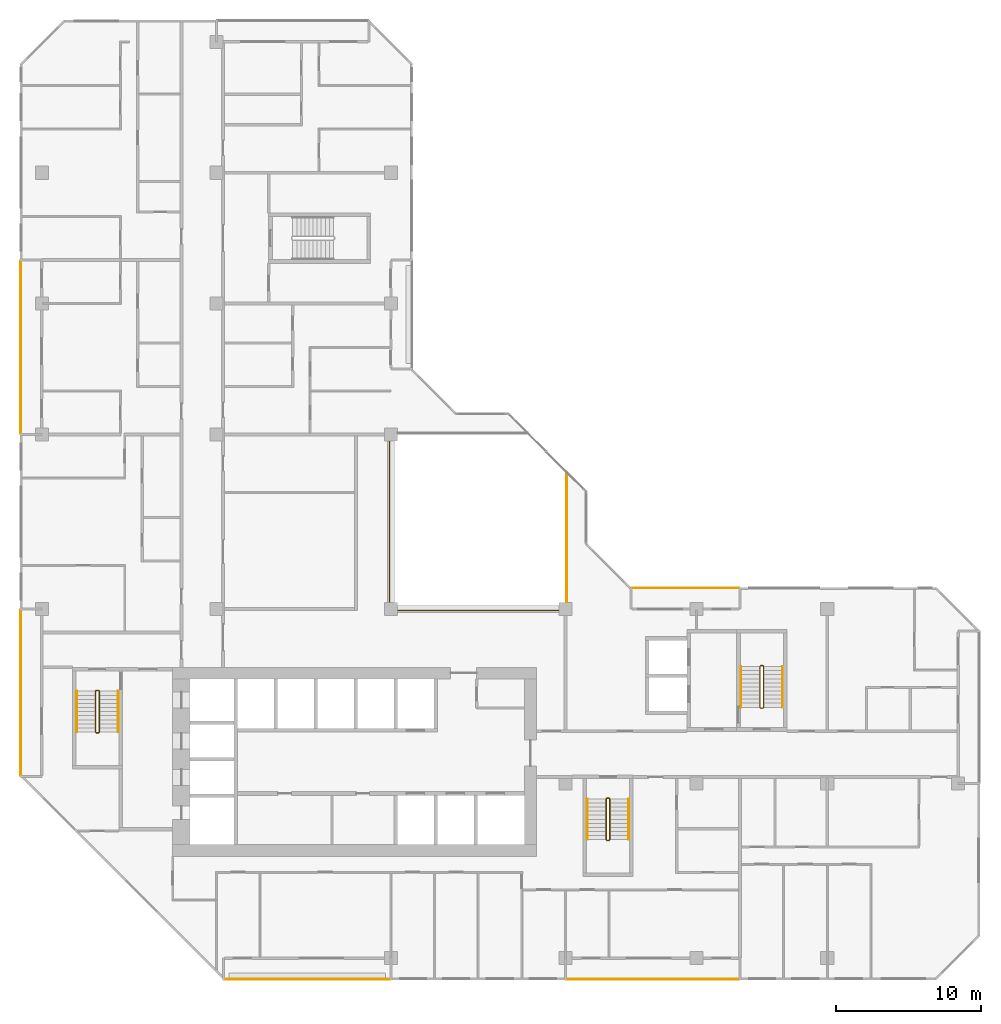
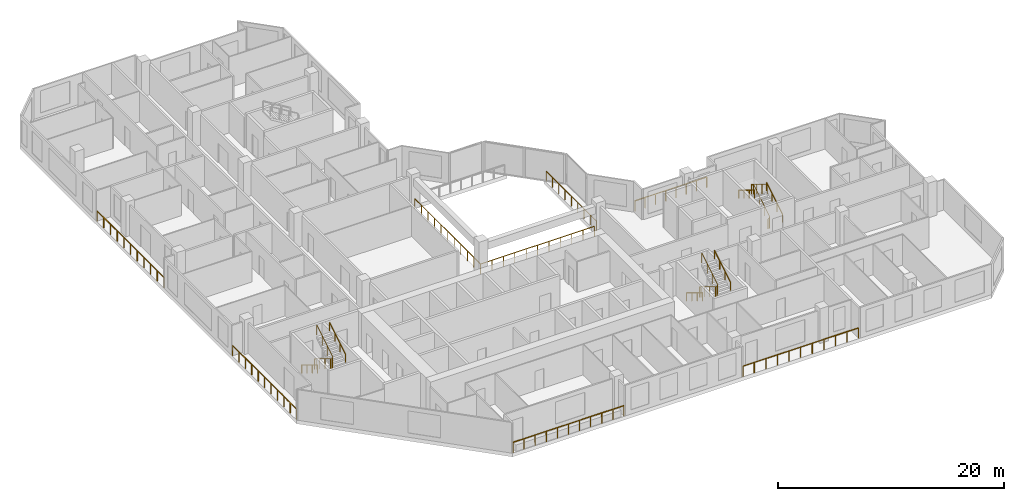
# One storey, part 14 of 15: 16 railings.
"""IFC4 building model written with IfcOpenShell, lengths in metres."""

from ifc_helpers import new_model, si_unit, direction, frame, origin, origin_2d, place, context, subcontext, project, spatial, rectangle, extrude, material, type_object, element, save


model = new_model("IFC4")

# Units and contexts
model_context = context("Model", 3, precision=1e-05, world=origin(), true_north=direction((0.0, 1.0)))
body_context = subcontext(model_context, "Body", "Model", "MODEL_VIEW")
ifc_project = project(units=[si_unit("LENGTHUNIT", "METRE"), si_unit("AREAUNIT", "SQUARE_METRE"), si_unit("VOLUMEUNIT", "CUBIC_METRE"), si_unit("PLANEANGLEUNIT", "RADIAN"), si_unit("MASSUNIT", "GRAM", prefix="KILO")], contexts=[model_context])

# Site, building, storey
site_placement = place(None, origin())
site = spatial("IfcSite", under=ifc_project, at=site_placement, CompositionType="ELEMENT")
building_placement = place(site_placement, origin())
building = spatial("IfcBuilding", under=site, at=building_placement, Name="Chenar Terraces", CompositionType="ELEMENT")
storey_placement = place(building_placement, frame((0.0, 0.0, 202.39990234375)))
storey = spatial("IfcBuildingStorey", under=building, at=storey_placement, Name="L47", CompositionType="ELEMENT", Elevation=202.39990234375)

# Railings
ifc_material_1 = material(Name="Powder-coated steel", Category="steel")
railing_type_1 = type_object("IfcRailingType", Name="Guard 1100 steel rail with glass infill", PredefinedType="GUARDRAIL", material=ifc_material_1)
railing_1_placement = place(storey_placement, frame((23.89990234375, 35.550048828125, 0.0)))
element("IfcRailing", 1, at=railing_1_placement, inside=storey, type_object=railing_type_1, Name="Guard L47-1", PredefinedType="GUARDRAIL", context=body_context, shape_type="SweptSolid", body=[
    extrude(rectangle(XDim=0.06005859375, YDim=0.06005859375, at=origin_2d()), frame((0.0, 0.0, 1.070068359375), z_axis=(0.0, -1.0, 0.0), x_axis=(1.0, 0.0, 0.0)), (0.0, 0.0, 1.0), 11.650146484375),
    extrude(rectangle(XDim=0.06005859375, YDim=0.06005859375, at=origin_2d()), frame((0.0, -11.650146484375, 1.070068359375), z_axis=(1.0, 0.0, 0.0), x_axis=(0.0, 1.0, 0.0)), (0.0, 0.0, 1.0), 11.650146484375),
    extrude(rectangle(XDim=0.050048828125, YDim=0.050048828125, at=origin_2d()), origin(), (0.0, 0.0, 1.0), 1.0400390625),
    extrude(rectangle(XDim=0.050048828125, YDim=0.050048828125, at=origin_2d()), frame((0.0, -1.1650390625, 0.0)), (0.0, 0.0, 1.0), 1.0400390625),
    extrude(rectangle(XDim=0.050048828125, YDim=0.050048828125, at=origin_2d()), frame((0.0, -2.330078125, 0.0)), (0.0, 0.0, 1.0), 1.0400390625),
    extrude(rectangle(XDim=0.050048828125, YDim=0.050048828125, at=origin_2d()), frame((0.0, -3.4951171875, 0.0)), (0.0, 0.0, 1.0), 1.0400390625),
    extrude(rectangle(XDim=0.050048828125, YDim=0.050048828125, at=origin_2d()), frame((0.0, -4.66015625, 0.0)), (0.0, 0.0, 1.0), 1.0400390625),
    extrude(rectangle(XDim=0.050048828125, YDim=0.050048828125, at=origin_2d()), frame((0.0, -5.8251953125, 0.0)), (0.0, 0.0, 1.0), 1.0400390625),
    extrude(rectangle(XDim=0.050048828125, YDim=0.050048828125, at=origin_2d()), frame((0.0, -6.989990234375, 0.0)), (0.0, 0.0, 1.0), 1.0400390625),
    extrude(rectangle(XDim=0.050048828125, YDim=0.050048828125, at=origin_2d()), frame((0.0, -8.155029296875, 0.0)), (0.0, 0.0, 1.0), 1.0400390625),
    extrude(rectangle(XDim=0.050048828125, YDim=0.050048828125, at=origin_2d()), frame((0.0, -9.320068359375, 0.0)), (0.0, 0.0, 1.0), 1.0400390625),
    extrude(rectangle(XDim=0.050048828125, YDim=0.050048828125, at=origin_2d()), frame((0.0, -10.485107421875, 0.0)), (0.0, 0.0, 1.0), 1.0400390625),
    extrude(rectangle(XDim=0.050048828125, YDim=0.050048828125, at=origin_2d()), frame((0.0, -11.650146484375, 0.0)), (0.0, 0.0, 1.0), 1.0400390625),
    extrude(rectangle(XDim=0.050048828125, YDim=0.050048828125, at=origin_2d()), frame((1.1650390625, -11.650146484375, 0.0)), (0.0, 0.0, 1.0), 1.0400390625),
    extrude(rectangle(XDim=0.050048828125, YDim=0.050048828125, at=origin_2d()), frame((2.330078125, -11.650146484375, 0.0)), (0.0, 0.0, 1.0), 1.0400390625),
    extrude(rectangle(XDim=0.050048828125, YDim=0.050048828125, at=origin_2d()), frame((3.4951171875, -11.650146484375, 0.0)), (0.0, 0.0, 1.0), 1.0400390625),
    extrude(rectangle(XDim=0.050048828125, YDim=0.050048828125, at=origin_2d()), frame((4.66015625, -11.650146484375, 0.0)), (0.0, 0.0, 1.0), 1.0400390625),
    extrude(rectangle(XDim=0.050048828125, YDim=0.050048828125, at=origin_2d()), frame((5.8251953125, -11.650146484375, 0.0)), (0.0, 0.0, 1.0), 1.0400390625),
    extrude(rectangle(XDim=0.050048828125, YDim=0.050048828125, at=origin_2d()), frame((6.989990234375, -11.650146484375, 0.0)), (0.0, 0.0, 1.0), 1.0400390625),
    extrude(rectangle(XDim=0.050048828125, YDim=0.050048828125, at=origin_2d()), frame((8.155029296875, -11.650146484375, 0.0)), (0.0, 0.0, 1.0), 1.0400390625),
    extrude(rectangle(XDim=0.050048828125, YDim=0.050048828125, at=origin_2d()), frame((9.320068359375, -11.650146484375, 0.0)), (0.0, 0.0, 1.0), 1.0400390625),
    extrude(rectangle(XDim=0.050048828125, YDim=0.050048828125, at=origin_2d()), frame((10.485107421875, -11.650146484375, 0.0)), (0.0, 0.0, 1.0), 1.0400390625),
    extrude(rectangle(XDim=0.050048828125, YDim=0.050048828125, at=origin_2d()), frame((11.650146484375, -11.650146484375, 0.0)), (0.0, 0.0, 1.0), 1.0400390625),
])
railing_2_placement = place(storey_placement, frame((36.10009765625, 24.5, 0.0)))
element("IfcRailing", 2, at=railing_2_placement, inside=storey, type_object=railing_type_1, Name="Guard L47-3", PredefinedType="GUARDRAIL", context=body_context, shape_type="SweptSolid", body=[
    extrude(rectangle(XDim=0.06005859375, YDim=0.06005859375, at=origin_2d()), frame((0.0, 0.0, 1.070068359375), z_axis=(0.0, 1.0, 0.0), x_axis=(-1.0, 0.0, 0.0)), (0.0, 0.0, 1.0), 8.89990234375),
    extrude(rectangle(XDim=0.050048828125, YDim=0.050048828125, at=origin_2d()), origin(), (0.0, 0.0, 1.0), 1.0400390625),
    extrude(rectangle(XDim=0.050048828125, YDim=0.050048828125, at=origin_2d()), frame((0.0, 1.112548828125, 0.0)), (0.0, 0.0, 1.0), 1.0400390625),
    extrude(rectangle(XDim=0.050048828125, YDim=0.050048828125, at=origin_2d()), frame((0.0, 2.22509765625, 0.0)), (0.0, 0.0, 1.0), 1.0400390625),
    extrude(rectangle(XDim=0.050048828125, YDim=0.050048828125, at=origin_2d()), frame((0.0, 3.33740234375, 0.0)), (0.0, 0.0, 1.0), 1.0400390625),
    extrude(rectangle(XDim=0.050048828125, YDim=0.050048828125, at=origin_2d()), frame((0.0, 4.449951171875, 0.0)), (0.0, 0.0, 1.0), 1.0400390625),
    extrude(rectangle(XDim=0.050048828125, YDim=0.050048828125, at=origin_2d()), frame((0.0, 5.5625, 0.0)), (0.0, 0.0, 1.0), 1.0400390625),
    extrude(rectangle(XDim=0.050048828125, YDim=0.050048828125, at=origin_2d()), frame((0.0, 6.6748046875, 0.0)), (0.0, 0.0, 1.0), 1.0400390625),
    extrude(rectangle(XDim=0.050048828125, YDim=0.050048828125, at=origin_2d()), frame((0.0, 7.787353515625, 0.0)), (0.0, 0.0, 1.0), 1.0400390625),
    extrude(rectangle(XDim=0.050048828125, YDim=0.050048828125, at=origin_2d()), frame((0.0, 8.89990234375, 0.0)), (0.0, 0.0, 1.0), 1.0400390625),
])
ifc_material_2 = material(Name="Stainless steel and glass", Category="steel")
railing_type_2 = type_object("IfcRailingType", Name="Loggia guard 1150", PredefinedType="GUARDRAIL", material=ifc_material_2)
railing_3_placement = place(storey_placement, frame((47.925048828125, 25.449951171875, 0.0)))
element("IfcRailing", 3, at=railing_3_placement, inside=storey, type_object=railing_type_2, Name="Loggia guard", PredefinedType="GUARDRAIL", context=body_context, shape_type="SweptSolid", body=[
    extrude(rectangle(XDim=0.048095703125, YDim=0.048095703125, at=origin_2d()), frame((0.0, 0.0, 1.1259765625), z_axis=(-1.0, 0.0, 0.0), x_axis=(0.0, -1.0, 0.0)), (0.0, 0.0, 1.0), 7.35009765625),
    extrude(rectangle(XDim=0.0419921875, YDim=0.0419921875, at=origin_2d()), origin(), (0.0, 0.0, 1.0), 1.101806640625),
    extrude(rectangle(XDim=0.0419921875, YDim=0.0419921875, at=origin_2d()), frame((-1.050048828125, 0.0, 0.0)), (0.0, 0.0, 1.0), 1.101806640625),
    extrude(rectangle(XDim=0.0419921875, YDim=0.0419921875, at=origin_2d()), frame((-2.10009765625, 0.0, 0.0)), (0.0, 0.0, 1.0), 1.101806640625),
    extrude(rectangle(XDim=0.0419921875, YDim=0.0419921875, at=origin_2d()), frame((-3.150146484375, 0.0, 0.0)), (0.0, 0.0, 1.0), 1.101806640625),
    extrude(rectangle(XDim=0.0419921875, YDim=0.0419921875, at=origin_2d()), frame((-4.199951171875, 0.0, 0.0)), (0.0, 0.0, 1.0), 1.101806640625),
    extrude(rectangle(XDim=0.0419921875, YDim=0.0419921875, at=origin_2d()), frame((-5.25, 0.0, 0.0)), (0.0, 0.0, 1.0), 1.101806640625),
    extrude(rectangle(XDim=0.0419921875, YDim=0.0419921875, at=origin_2d()), frame((-6.300048828125, 0.0, 0.0)), (0.0, 0.0, 1.0), 1.101806640625),
    extrude(rectangle(XDim=0.0419921875, YDim=0.0419921875, at=origin_2d()), frame((-7.35009765625, 0.0, 0.0)), (0.0, 0.0, 1.0), 1.101806640625),
])
railing_4_placement = place(storey_placement, frame((12.574951171875, -1.449951171875, 0.0)))
element("IfcRailing", 4, at=railing_4_placement, inside=storey, type_object=railing_type_2, Name="Loggia guard", PredefinedType="GUARDRAIL", context=body_context, shape_type="SweptSolid", body=[
    extrude(rectangle(XDim=0.048095703125, YDim=0.048095703125, at=origin_2d()), frame((0.0, 0.0, 1.1259765625), z_axis=(1.0, 0.0, 0.0), x_axis=(0.0, 1.0, 0.0)), (0.0, 0.0, 1.0), 11.35009765625),
    extrude(rectangle(XDim=0.0419921875, YDim=0.0419921875, at=origin_2d()), origin(), (0.0, 0.0, 1.0), 1.101806640625),
    extrude(rectangle(XDim=0.0419921875, YDim=0.0419921875, at=origin_2d()), frame((1.135009765625, 0.0, 0.0)), (0.0, 0.0, 1.0), 1.101806640625),
    extrude(rectangle(XDim=0.0419921875, YDim=0.0419921875, at=origin_2d()), frame((2.27001953125, 0.0, 0.0)), (0.0, 0.0, 1.0), 1.101806640625),
    extrude(rectangle(XDim=0.0419921875, YDim=0.0419921875, at=origin_2d()), frame((3.405029296875, 0.0, 0.0)), (0.0, 0.0, 1.0), 1.101806640625),
    extrude(rectangle(XDim=0.0419921875, YDim=0.0419921875, at=origin_2d()), frame((4.5400390625, 0.0, 0.0)), (0.0, 0.0, 1.0), 1.101806640625),
    extrude(rectangle(XDim=0.0419921875, YDim=0.0419921875, at=origin_2d()), frame((5.675048828125, 0.0, 0.0)), (0.0, 0.0, 1.0), 1.101806640625),
    extrude(rectangle(XDim=0.0419921875, YDim=0.0419921875, at=origin_2d()), frame((6.81005859375, 0.0, 0.0)), (0.0, 0.0, 1.0), 1.101806640625),
    extrude(rectangle(XDim=0.0419921875, YDim=0.0419921875, at=origin_2d()), frame((7.945068359375, 0.0, 0.0)), (0.0, 0.0, 1.0), 1.101806640625),
    extrude(rectangle(XDim=0.0419921875, YDim=0.0419921875, at=origin_2d()), frame((9.080078125, 0.0, 0.0)), (0.0, 0.0, 1.0), 1.101806640625),
    extrude(rectangle(XDim=0.0419921875, YDim=0.0419921875, at=origin_2d()), frame((10.215087890625, 0.0, 0.0)), (0.0, 0.0, 1.0), 1.101806640625),
    extrude(rectangle(XDim=0.0419921875, YDim=0.0419921875, at=origin_2d()), frame((11.35009765625, 0.0, 0.0)), (0.0, 0.0, 1.0), 1.101806640625),
])
railing_5_placement = place(storey_placement, frame((36.074951171875, -1.449951171875, 0.0)))
element("IfcRailing", 5, at=railing_5_placement, inside=storey, type_object=railing_type_2, Name="Loggia guard", PredefinedType="GUARDRAIL", context=body_context, shape_type="SweptSolid", body=[
    extrude(rectangle(XDim=0.048095703125, YDim=0.048095703125, at=origin_2d()), frame((0.0, 0.0, 1.1259765625), z_axis=(1.0, 0.0, 0.0), x_axis=(0.0, 1.0, 0.0)), (0.0, 0.0, 1.0), 11.85009765625),
    extrude(rectangle(XDim=0.0419921875, YDim=0.0419921875, at=origin_2d()), origin(), (0.0, 0.0, 1.0), 1.101806640625),
    extrude(rectangle(XDim=0.0419921875, YDim=0.0419921875, at=origin_2d()), frame((1.18505859375, 0.0, 0.0)), (0.0, 0.0, 1.0), 1.101806640625),
    extrude(rectangle(XDim=0.0419921875, YDim=0.0419921875, at=origin_2d()), frame((2.3701171875, 0.0, 0.0)), (0.0, 0.0, 1.0), 1.101806640625),
    extrude(rectangle(XDim=0.0419921875, YDim=0.0419921875, at=origin_2d()), frame((3.554931640625, 0.0, 0.0)), (0.0, 0.0, 1.0), 1.101806640625),
    extrude(rectangle(XDim=0.0419921875, YDim=0.0419921875, at=origin_2d()), frame((4.739990234375, 0.0, 0.0)), (0.0, 0.0, 1.0), 1.101806640625),
    extrude(rectangle(XDim=0.0419921875, YDim=0.0419921875, at=origin_2d()), frame((5.925048828125, 0.0, 0.0)), (0.0, 0.0, 1.0), 1.101806640625),
    extrude(rectangle(XDim=0.0419921875, YDim=0.0419921875, at=origin_2d()), frame((7.110107421875, 0.0, 0.0)), (0.0, 0.0, 1.0), 1.101806640625),
    extrude(rectangle(XDim=0.0419921875, YDim=0.0419921875, at=origin_2d()), frame((8.295166015625, 0.0, 0.0)), (0.0, 0.0, 1.0), 1.101806640625),
    extrude(rectangle(XDim=0.0419921875, YDim=0.0419921875, at=origin_2d()), frame((9.47998046875, 0.0, 0.0)), (0.0, 0.0, 1.0), 1.101806640625),
    extrude(rectangle(XDim=0.0419921875, YDim=0.0419921875, at=origin_2d()), frame((10.6650390625, 0.0, 0.0)), (0.0, 0.0, 1.0), 1.101806640625),
    extrude(rectangle(XDim=0.0419921875, YDim=0.0419921875, at=origin_2d()), frame((11.85009765625, 0.0, 0.0)), (0.0, 0.0, 1.0), 1.101806640625),
])
railing_6_placement = place(storey_placement, frame((-1.449951171875, 47.925048828125, 0.0)))
element("IfcRailing", 6, at=railing_6_placement, inside=storey, type_object=railing_type_2, Name="Loggia guard", PredefinedType="GUARDRAIL", context=body_context, shape_type="SweptSolid", body=[
    extrude(rectangle(XDim=0.048095703125, YDim=0.048095703125, at=origin_2d()), frame((0.0, 0.0, 1.1259765625), z_axis=(0.0, -1.0, 0.0), x_axis=(1.0, 0.0, 0.0)), (0.0, 0.0, 1.0), 11.85009765625),
    extrude(rectangle(XDim=0.0419921875, YDim=0.0419921875, at=origin_2d()), origin(), (0.0, 0.0, 1.0), 1.101806640625),
    extrude(rectangle(XDim=0.0419921875, YDim=0.0419921875, at=origin_2d()), frame((0.0, -1.18505859375, 0.0)), (0.0, 0.0, 1.0), 1.101806640625),
    extrude(rectangle(XDim=0.0419921875, YDim=0.0419921875, at=origin_2d()), frame((0.0, -2.3701171875, 0.0)), (0.0, 0.0, 1.0), 1.101806640625),
    extrude(rectangle(XDim=0.0419921875, YDim=0.0419921875, at=origin_2d()), frame((0.0, -3.554931640625, 0.0)), (0.0, 0.0, 1.0), 1.101806640625),
    extrude(rectangle(XDim=0.0419921875, YDim=0.0419921875, at=origin_2d()), frame((0.0, -4.739990234375, 0.0)), (0.0, 0.0, 1.0), 1.101806640625),
    extrude(rectangle(XDim=0.0419921875, YDim=0.0419921875, at=origin_2d()), frame((0.0, -5.925048828125, 0.0)), (0.0, 0.0, 1.0), 1.101806640625),
    extrude(rectangle(XDim=0.0419921875, YDim=0.0419921875, at=origin_2d()), frame((0.0, -7.110107421875, 0.0)), (0.0, 0.0, 1.0), 1.101806640625),
    extrude(rectangle(XDim=0.0419921875, YDim=0.0419921875, at=origin_2d()), frame((0.0, -8.295166015625, 0.0)), (0.0, 0.0, 1.0), 1.101806640625),
    extrude(rectangle(XDim=0.0419921875, YDim=0.0419921875, at=origin_2d()), frame((0.0, -9.47998046875, 0.0)), (0.0, 0.0, 1.0), 1.101806640625),
    extrude(rectangle(XDim=0.0419921875, YDim=0.0419921875, at=origin_2d()), frame((0.0, -10.6650390625, 0.0)), (0.0, 0.0, 1.0), 1.101806640625),
    extrude(rectangle(XDim=0.0419921875, YDim=0.0419921875, at=origin_2d()), frame((0.0, -11.85009765625, 0.0)), (0.0, 0.0, 1.0), 1.101806640625),
])
railing_7_placement = place(storey_placement, frame((-1.449951171875, 23.925048828125, 0.0)))
element("IfcRailing", 7, at=railing_7_placement, inside=storey, type_object=railing_type_2, Name="Loggia guard", PredefinedType="GUARDRAIL", context=body_context, shape_type="SweptSolid", body=[
    extrude(rectangle(XDim=0.048095703125, YDim=0.048095703125, at=origin_2d()), frame((0.0, 0.0, 1.1259765625), z_axis=(0.0, -1.0, 0.0), x_axis=(1.0, 0.0, 0.0)), (0.0, 0.0, 1.0), 11.35009765625),
    extrude(rectangle(XDim=0.0419921875, YDim=0.0419921875, at=origin_2d()), origin(), (0.0, 0.0, 1.0), 1.101806640625),
    extrude(rectangle(XDim=0.0419921875, YDim=0.0419921875, at=origin_2d()), frame((0.0, -1.135009765625, 0.0)), (0.0, 0.0, 1.0), 1.101806640625),
    extrude(rectangle(XDim=0.0419921875, YDim=0.0419921875, at=origin_2d()), frame((0.0, -2.27001953125, 0.0)), (0.0, 0.0, 1.0), 1.101806640625),
    extrude(rectangle(XDim=0.0419921875, YDim=0.0419921875, at=origin_2d()), frame((0.0, -3.405029296875, 0.0)), (0.0, 0.0, 1.0), 1.101806640625),
    extrude(rectangle(XDim=0.0419921875, YDim=0.0419921875, at=origin_2d()), frame((0.0, -4.5400390625, 0.0)), (0.0, 0.0, 1.0), 1.101806640625),
    extrude(rectangle(XDim=0.0419921875, YDim=0.0419921875, at=origin_2d()), frame((0.0, -5.675048828125, 0.0)), (0.0, 0.0, 1.0), 1.101806640625),
    extrude(rectangle(XDim=0.0419921875, YDim=0.0419921875, at=origin_2d()), frame((0.0, -6.81005859375, 0.0)), (0.0, 0.0, 1.0), 1.101806640625),
    extrude(rectangle(XDim=0.0419921875, YDim=0.0419921875, at=origin_2d()), frame((0.0, -7.945068359375, 0.0)), (0.0, 0.0, 1.0), 1.101806640625),
    extrude(rectangle(XDim=0.0419921875, YDim=0.0419921875, at=origin_2d()), frame((0.0, -9.080078125, 0.0)), (0.0, 0.0, 1.0), 1.101806640625),
    extrude(rectangle(XDim=0.0419921875, YDim=0.0419921875, at=origin_2d()), frame((0.0, -10.215087890625, 0.0)), (0.0, 0.0, 1.0), 1.101806640625),
    extrude(rectangle(XDim=0.0419921875, YDim=0.0419921875, at=origin_2d()), frame((0.0, -11.35009765625, 0.0)), (0.0, 0.0, 1.0), 1.101806640625),
])
ifc_material_3 = material(Name="Powder-coated steel", Category="steel")
railing_type_3 = type_object("IfcRailingType", Name="Stair guard 1100", PredefinedType="GUARDRAIL", material=ifc_material_3)
railing_8_placement = place(storey_placement, frame((3.949951171875, 18.35009765625, 3.75)))
element("IfcRailing", 8, at=railing_8_placement, inside=storey, type_object=railing_type_3, Name="L47 ST1 stair guard 1", PredefinedType="GUARDRAIL", context=body_context, shape_type="SweptSolid", body=[
    extrude(rectangle(XDim=0.048095703125, YDim=0.048095703125, at=origin_2d()), frame((0.0, 0.0, 1.076171875), z_axis=(0.0, -0.854202870247, -0.519939858505), x_axis=(1.0, 0.0, 0.0)), (0.0, 0.0, 1.0), 3.278076171875),
    extrude(rectangle(XDim=0.048095703125, YDim=0.048095703125, at=origin_2d()), frame((0.0, -2.800048828125, -0.62841796875), z_axis=(-0.270899902878, -0.270899902878, -0.923702595667), x_axis=(0.707106781187, -0.707106781187, 0.0)), (0.0, 0.0, 1.0), 0.184814453125),
    extrude(rectangle(XDim=0.048095703125, YDim=0.048095703125, at=origin_2d()), frame((-0.050048828125, -2.85009765625, -0.798828125), z_axis=(-1.0, 0.0, 0.0), x_axis=(0.0, -1.0, 0.0)), (0.0, 0.0, 1.0), 0.14990234375),
    extrude(rectangle(XDim=0.048095703125, YDim=0.048095703125, at=origin_2d()), frame((-0.199951171875, -2.85009765625, -0.798828125), z_axis=(-0.707106781187, 0.707106781187, 0.0), x_axis=(-0.707106781187, -0.707106781187, 0.0)), (0.0, 0.0, 1.0), 0.07080078125),
    extrude(rectangle(XDim=0.048095703125, YDim=0.048095703125, at=origin_2d()), frame((-0.25, -2.800048828125, -0.798828125), z_axis=(0.0, 0.854202870247, -0.519939858505), x_axis=(-1.0, 0.0, 0.0)), (0.0, 0.0, 1.0), 3.278076171875),
    extrude(rectangle(XDim=0.048095703125, YDim=0.048095703125, at=origin_2d()), frame((-0.25, 0.0, -2.50341796875), z_axis=(0.270996696079, 0.269674760976, -0.924032636873), x_axis=(-0.705375805398, 0.708833529934, 0.0)), (0.0, 0.0, 1.0), 0.1845703125),
    extrude(rectangle(XDim=0.048095703125, YDim=0.048095703125, at=origin_2d()), frame((-0.199951171875, 0.0498046875, -2.673828125), z_axis=(1.0, 0.0, 0.0), x_axis=(0.0, 1.0, 0.0)), (0.0, 0.0, 1.0), 0.14990234375),
    extrude(rectangle(XDim=0.0419921875, YDim=0.0419921875, at=origin_2d()), origin(), (0.0, 0.0, 1.0), 1.052001953125),
    extrude(rectangle(XDim=0.0419921875, YDim=0.0419921875, at=origin_2d()), frame((0.0, -0.933349609375, -0.568115234375)), (0.0, 0.0, 1.0), 1.052001953125),
    extrude(rectangle(XDim=0.0419921875, YDim=0.0419921875, at=origin_2d()), frame((0.0, -1.86669921875, -1.13623046875)), (0.0, 0.0, 1.0), 1.052001953125),
    extrude(rectangle(XDim=0.0419921875, YDim=0.0419921875, at=origin_2d()), frame((0.0, -2.800048828125, -1.704345703125)), (0.0, 0.0, 1.0), 1.052001953125),
    extrude(rectangle(XDim=0.0419921875, YDim=0.0419921875, at=origin_2d()), frame((-0.050048828125, -2.85009765625, -1.875)), (0.0, 0.0, 1.0), 1.052001953125),
    extrude(rectangle(XDim=0.0419921875, YDim=0.0419921875, at=origin_2d()), frame((-0.199951171875, -2.85009765625, -1.875)), (0.0, 0.0, 1.0), 1.052001953125),
    extrude(rectangle(XDim=0.0419921875, YDim=0.0419921875, at=origin_2d()), frame((-0.25, -2.800048828125, -1.875)), (0.0, 0.0, 1.0), 1.052001953125),
    extrude(rectangle(XDim=0.0419921875, YDim=0.0419921875, at=origin_2d()), frame((-0.25, -1.86669921875, -2.443115234375)), (0.0, 0.0, 1.0), 1.052001953125),
    extrude(rectangle(XDim=0.0419921875, YDim=0.0419921875, at=origin_2d()), frame((-0.25, -0.933349609375, -3.01123046875)), (0.0, 0.0, 1.0), 1.052001953125),
    extrude(rectangle(XDim=0.0419921875, YDim=0.0419921875, at=origin_2d()), frame((-0.25, 0.0, -3.579345703125)), (0.0, 0.0, 1.0), 1.052001953125),
    extrude(rectangle(XDim=0.0419921875, YDim=0.0419921875, at=origin_2d()), frame((-0.199951171875, 0.0498046875, -3.75)), (0.0, 0.0, 1.0), 1.052001953125),
    extrude(rectangle(XDim=0.0419921875, YDim=0.0419921875, at=origin_2d()), frame((-0.050048828125, 0.0498046875, -3.75)), (0.0, 0.0, 1.0), 1.052001953125),
])
railing_9_placement = place(storey_placement, frame((39.050048828125, 10.949951171875, 3.75)))
element("IfcRailing", 9, at=railing_9_placement, inside=storey, type_object=railing_type_3, Name="L47 ST2 stair guard 1", PredefinedType="GUARDRAIL", context=body_context, shape_type="SweptSolid", body=[
    extrude(rectangle(XDim=0.048095703125, YDim=0.048095703125, at=origin_2d()), frame((0.0, 0.0, 1.076171875), z_axis=(0.0, -0.854202870247, -0.519939858505), x_axis=(1.0, 0.0, 0.0)), (0.0, 0.0, 1.0), 3.278076171875),
    extrude(rectangle(XDim=0.048095703125, YDim=0.048095703125, at=origin_2d()), frame((0.0, -2.800048828125, -0.62841796875), z_axis=(-0.270996696079, -0.269674760976, -0.924032636873), x_axis=(0.705375805398, -0.708833529934, 0.0)), (0.0, 0.0, 1.0), 0.1845703125),
    extrude(rectangle(XDim=0.048095703125, YDim=0.048095703125, at=origin_2d()), frame((-0.050048828125, -2.849853515625, -0.798828125), z_axis=(-1.0, 0.0, 0.0), x_axis=(0.0, -1.0, 0.0)), (0.0, 0.0, 1.0), 0.14990234375),
    extrude(rectangle(XDim=0.048095703125, YDim=0.048095703125, at=origin_2d()), frame((-0.199951171875, -2.849853515625, -0.798828125), z_axis=(-0.708833529934, 0.705375805398, 0.0), x_axis=(-0.705375805398, -0.708833529934, 0.0)), (0.0, 0.0, 1.0), 0.070556640625),
    extrude(rectangle(XDim=0.048095703125, YDim=0.048095703125, at=origin_2d()), frame((-0.25, -2.800048828125, -0.798828125), z_axis=(0.0, 0.854202870247, -0.519939858505), x_axis=(-1.0, 0.0, 0.0)), (0.0, 0.0, 1.0), 3.278076171875),
    extrude(rectangle(XDim=0.048095703125, YDim=0.048095703125, at=origin_2d()), frame((-0.25, 0.0, -2.50341796875), z_axis=(0.270899902878, 0.270899902878, -0.923702595667), x_axis=(-0.707106781187, 0.707106781187, 0.0)), (0.0, 0.0, 1.0), 0.184814453125),
    extrude(rectangle(XDim=0.048095703125, YDim=0.048095703125, at=origin_2d()), frame((-0.199951171875, 0.050048828125, -2.673828125), z_axis=(1.0, 0.0, 0.0), x_axis=(0.0, 1.0, 0.0)), (0.0, 0.0, 1.0), 0.14990234375),
    extrude(rectangle(XDim=0.0419921875, YDim=0.0419921875, at=origin_2d()), origin(), (0.0, 0.0, 1.0), 1.052001953125),
    extrude(rectangle(XDim=0.0419921875, YDim=0.0419921875, at=origin_2d()), frame((0.0, -0.933349609375, -0.568115234375)), (0.0, 0.0, 1.0), 1.052001953125),
    extrude(rectangle(XDim=0.0419921875, YDim=0.0419921875, at=origin_2d()), frame((0.0, -1.86669921875, -1.13623046875)), (0.0, 0.0, 1.0), 1.052001953125),
    extrude(rectangle(XDim=0.0419921875, YDim=0.0419921875, at=origin_2d()), frame((0.0, -2.800048828125, -1.704345703125)), (0.0, 0.0, 1.0), 1.052001953125),
    extrude(rectangle(XDim=0.0419921875, YDim=0.0419921875, at=origin_2d()), frame((-0.050048828125, -2.849853515625, -1.875)), (0.0, 0.0, 1.0), 1.052001953125),
    extrude(rectangle(XDim=0.0419921875, YDim=0.0419921875, at=origin_2d()), frame((-0.199951171875, -2.849853515625, -1.875)), (0.0, 0.0, 1.0), 1.052001953125),
    extrude(rectangle(XDim=0.0419921875, YDim=0.0419921875, at=origin_2d()), frame((-0.25, -2.800048828125, -1.875)), (0.0, 0.0, 1.0), 1.052001953125),
    extrude(rectangle(XDim=0.0419921875, YDim=0.0419921875, at=origin_2d()), frame((-0.25, -1.86669921875, -2.443115234375)), (0.0, 0.0, 1.0), 1.052001953125),
    extrude(rectangle(XDim=0.0419921875, YDim=0.0419921875, at=origin_2d()), frame((-0.25, -0.933349609375, -3.01123046875)), (0.0, 0.0, 1.0), 1.052001953125),
    extrude(rectangle(XDim=0.0419921875, YDim=0.0419921875, at=origin_2d()), frame((-0.25, 0.0, -3.579345703125)), (0.0, 0.0, 1.0), 1.052001953125),
    extrude(rectangle(XDim=0.0419921875, YDim=0.0419921875, at=origin_2d()), frame((-0.199951171875, 0.050048828125, -3.75)), (0.0, 0.0, 1.0), 1.052001953125),
    extrude(rectangle(XDim=0.0419921875, YDim=0.0419921875, at=origin_2d()), frame((-0.050048828125, 0.050048828125, -3.75)), (0.0, 0.0, 1.0), 1.052001953125),
])
railing_10_placement = place(storey_placement, frame((49.375, 17.25, 3.75)))
element("IfcRailing", 10, at=railing_10_placement, inside=storey, type_object=railing_type_3, Name="L47 ST3 stair guard 1", PredefinedType="GUARDRAIL", context=body_context, shape_type="SweptSolid", body=[
    extrude(rectangle(XDim=0.048095703125, YDim=0.048095703125, at=origin_2d()), frame((0.0, 0.0, 1.076171875), z_axis=(0.0, 0.854202870247, -0.519939858505), x_axis=(-1.0, 0.0, 0.0)), (0.0, 0.0, 1.0), 3.278076171875),
    extrude(rectangle(XDim=0.048095703125, YDim=0.048095703125, at=origin_2d()), frame((0.0, 2.800048828125, -0.62841796875), z_axis=(0.270899902878, 0.270899902878, -0.923702595667), x_axis=(-0.707106781187, 0.707106781187, 0.0)), (0.0, 0.0, 1.0), 0.184814453125),
    extrude(rectangle(XDim=0.048095703125, YDim=0.048095703125, at=origin_2d()), frame((0.050048828125, 2.85009765625, -0.798828125), z_axis=(1.0, 0.0, 0.0), x_axis=(0.0, 1.0, 0.0)), (0.0, 0.0, 1.0), 0.14990234375),
    extrude(rectangle(XDim=0.048095703125, YDim=0.048095703125, at=origin_2d()), frame((0.199951171875, 2.85009765625, -0.798828125), z_axis=(0.707106781187, -0.707106781187, 0.0), x_axis=(0.707106781187, 0.707106781187, 0.0)), (0.0, 0.0, 1.0), 0.07080078125),
    extrude(rectangle(XDim=0.048095703125, YDim=0.048095703125, at=origin_2d()), frame((0.25, 2.800048828125, -0.798828125), z_axis=(0.0, -0.854202870247, -0.519939858505), x_axis=(1.0, 0.0, 0.0)), (0.0, 0.0, 1.0), 3.278076171875),
    extrude(rectangle(XDim=0.048095703125, YDim=0.048095703125, at=origin_2d()), frame((0.25, 0.0, -2.50341796875), z_axis=(-0.270899902878, -0.270899902878, -0.923702595667), x_axis=(0.707106781187, -0.707106781187, 0.0)), (0.0, 0.0, 1.0), 0.184814453125),
    extrude(rectangle(XDim=0.048095703125, YDim=0.048095703125, at=origin_2d()), frame((0.199951171875, -0.050048828125, -2.673828125), z_axis=(-1.0, 0.0, 0.0), x_axis=(0.0, -1.0, 0.0)), (0.0, 0.0, 1.0), 0.14990234375),
    extrude(rectangle(XDim=0.0419921875, YDim=0.0419921875, at=origin_2d()), origin(), (0.0, 0.0, 1.0), 1.052001953125),
    extrude(rectangle(XDim=0.0419921875, YDim=0.0419921875, at=origin_2d()), frame((0.0, 0.933349609375, -0.568115234375)), (0.0, 0.0, 1.0), 1.052001953125),
    extrude(rectangle(XDim=0.0419921875, YDim=0.0419921875, at=origin_2d()), frame((0.0, 1.86669921875, -1.13623046875)), (0.0, 0.0, 1.0), 1.052001953125),
    extrude(rectangle(XDim=0.0419921875, YDim=0.0419921875, at=origin_2d()), frame((0.0, 2.800048828125, -1.704345703125)), (0.0, 0.0, 1.0), 1.052001953125),
    extrude(rectangle(XDim=0.0419921875, YDim=0.0419921875, at=origin_2d()), frame((0.050048828125, 2.85009765625, -1.875)), (0.0, 0.0, 1.0), 1.052001953125),
    extrude(rectangle(XDim=0.0419921875, YDim=0.0419921875, at=origin_2d()), frame((0.199951171875, 2.85009765625, -1.875)), (0.0, 0.0, 1.0), 1.052001953125),
    extrude(rectangle(XDim=0.0419921875, YDim=0.0419921875, at=origin_2d()), frame((0.25, 2.800048828125, -1.875)), (0.0, 0.0, 1.0), 1.052001953125),
    extrude(rectangle(XDim=0.0419921875, YDim=0.0419921875, at=origin_2d()), frame((0.25, 1.86669921875, -2.443115234375)), (0.0, 0.0, 1.0), 1.052001953125),
    extrude(rectangle(XDim=0.0419921875, YDim=0.0419921875, at=origin_2d()), frame((0.25, 0.933349609375, -3.01123046875)), (0.0, 0.0, 1.0), 1.052001953125),
    extrude(rectangle(XDim=0.0419921875, YDim=0.0419921875, at=origin_2d()), frame((0.25, 0.0, -3.579345703125)), (0.0, 0.0, 1.0), 1.052001953125),
    extrude(rectangle(XDim=0.0419921875, YDim=0.0419921875, at=origin_2d()), frame((0.199951171875, -0.050048828125, -3.75)), (0.0, 0.0, 1.0), 1.052001953125),
    extrude(rectangle(XDim=0.0419921875, YDim=0.0419921875, at=origin_2d()), frame((0.050048828125, -0.050048828125, -3.75)), (0.0, 0.0, 1.0), 1.052001953125),
])
ifc_material_4 = material(Name="Powder-coated steel", Category="steel")
railing_type_4 = type_object("IfcRailingType", Name="Stair handrail 900", PredefinedType="HANDRAIL", material=ifc_material_4)
railing_11_placement = place(storey_placement, frame((2.39990234375, 18.35009765625, 0.170654296875)))
element("IfcRailing", 11, at=railing_11_placement, inside=storey, type_object=railing_type_4, Name="L47 ST1 stair handrail 1", PredefinedType="HANDRAIL", context=body_context, shape_type="SweptSolid", body=[
    extrude(rectangle(XDim=0.048095703125, YDim=0.048095703125, at=origin_2d()), frame((0.0, 0.0, 0.8759765625), z_axis=(0.0, -0.854202870247, 0.519939858505), x_axis=(1.0, 0.0, 0.0)), (0.0, 0.0, 1.0), 3.278076171875),
    extrude(rectangle(XDim=0.0419921875, YDim=0.0419921875, at=origin_2d()), origin(), (0.0, 0.0, 1.0), 0.851806640625),
    extrude(rectangle(XDim=0.0419921875, YDim=0.0419921875, at=origin_2d()), frame((0.0, -0.933349609375, 0.568115234375)), (0.0, 0.0, 1.0), 0.851806640625),
    extrude(rectangle(XDim=0.0419921875, YDim=0.0419921875, at=origin_2d()), frame((0.0, -1.86669921875, 1.13623046875)), (0.0, 0.0, 1.0), 0.851806640625),
    extrude(rectangle(XDim=0.0419921875, YDim=0.0419921875, at=origin_2d()), frame((0.0, -2.800048828125, 1.704345703125)), (0.0, 0.0, 1.0), 0.851806640625),
])
railing_12_placement = place(storey_placement, frame((5.25, 15.550048828125, 2.045654296875)))
element("IfcRailing", 12, at=railing_12_placement, inside=storey, type_object=railing_type_4, Name="L47 ST1 stair handrail 2", PredefinedType="HANDRAIL", context=body_context, shape_type="SweptSolid", body=[
    extrude(rectangle(XDim=0.048095703125, YDim=0.048095703125, at=origin_2d()), frame((0.0, 0.0, 0.8759765625), z_axis=(0.0, 0.854202870247, 0.519939858505), x_axis=(-1.0, 0.0, 0.0)), (0.0, 0.0, 1.0), 3.278076171875),
    extrude(rectangle(XDim=0.0419921875, YDim=0.0419921875, at=origin_2d()), origin(), (0.0, 0.0, 1.0), 0.851806640625),
    extrude(rectangle(XDim=0.0419921875, YDim=0.0419921875, at=origin_2d()), frame((0.0, 0.933349609375, 0.568115234375)), (0.0, 0.0, 1.0), 0.851806640625),
    extrude(rectangle(XDim=0.0419921875, YDim=0.0419921875, at=origin_2d()), frame((0.0, 1.86669921875, 1.13623046875)), (0.0, 0.0, 1.0), 0.851806640625),
    extrude(rectangle(XDim=0.0419921875, YDim=0.0419921875, at=origin_2d()), frame((0.0, 2.800048828125, 1.704345703125)), (0.0, 0.0, 1.0), 0.851806640625),
])
railing_13_placement = place(storey_placement, frame((37.5, 10.949951171875, 0.170654296875)))
element("IfcRailing", 13, at=railing_13_placement, inside=storey, type_object=railing_type_4, Name="L47 ST2 stair handrail 1", PredefinedType="HANDRAIL", context=body_context, shape_type="SweptSolid", body=[
    extrude(rectangle(XDim=0.048095703125, YDim=0.048095703125, at=origin_2d()), frame((0.0, 0.0, 0.8759765625), z_axis=(0.0, -0.854202870247, 0.519939858505), x_axis=(1.0, 0.0, 0.0)), (0.0, 0.0, 1.0), 3.278076171875),
    extrude(rectangle(XDim=0.0419921875, YDim=0.0419921875, at=origin_2d()), origin(), (0.0, 0.0, 1.0), 0.851806640625),
    extrude(rectangle(XDim=0.0419921875, YDim=0.0419921875, at=origin_2d()), frame((0.0, -0.933349609375, 0.568115234375)), (0.0, 0.0, 1.0), 0.851806640625),
    extrude(rectangle(XDim=0.0419921875, YDim=0.0419921875, at=origin_2d()), frame((0.0, -1.86669921875, 1.13623046875)), (0.0, 0.0, 1.0), 0.851806640625),
    extrude(rectangle(XDim=0.0419921875, YDim=0.0419921875, at=origin_2d()), frame((0.0, -2.800048828125, 1.704345703125)), (0.0, 0.0, 1.0), 0.851806640625),
])
for number, where, name in (
    (14, (40.35009765625, 8.14990234375, 2.045654296875), "L47 ST2 stair handrail 2"),
    (15, (50.925048828125, 17.25, 0.170654296875), "L47 ST3 stair handrail 1"),
):
    element("IfcRailing", number, at=place(storey_placement, frame(where)), inside=storey, type_object=railing_type_4, Name=name, PredefinedType="HANDRAIL", context=body_context, shape_type="SweptSolid", body=[
        extrude(rectangle(XDim=0.048095703125, YDim=0.048095703125, at=origin_2d()), frame((0.0, 0.0, 0.8759765625), z_axis=(0.0, 0.854202870247, 0.519939858505), x_axis=(-1.0, 0.0, 0.0)), (0.0, 0.0, 1.0), 3.278076171875),
        extrude(rectangle(XDim=0.0419921875, YDim=0.0419921875, at=origin_2d()), origin(), (0.0, 0.0, 1.0), 0.851806640625),
        extrude(rectangle(XDim=0.0419921875, YDim=0.0419921875, at=origin_2d()), frame((0.0, 0.933349609375, 0.568115234375)), (0.0, 0.0, 1.0), 0.851806640625),
        extrude(rectangle(XDim=0.0419921875, YDim=0.0419921875, at=origin_2d()), frame((0.0, 1.86669921875, 1.13623046875)), (0.0, 0.0, 1.0), 0.851806640625),
        extrude(rectangle(XDim=0.0419921875, YDim=0.0419921875, at=origin_2d()), frame((0.0, 2.800048828125, 1.704345703125)), (0.0, 0.0, 1.0), 0.851806640625),
    ])
railing_14_placement = place(storey_placement, frame((48.074951171875, 20.050048828125, 2.045654296875)))
element("IfcRailing", 16, at=railing_14_placement, inside=storey, type_object=railing_type_4, Name="L47 ST3 stair handrail 2", PredefinedType="HANDRAIL", context=body_context, shape_type="SweptSolid", body=[
    extrude(rectangle(XDim=0.048095703125, YDim=0.048095703125, at=origin_2d()), frame((0.0, 0.0, 0.8759765625), z_axis=(0.0, -0.854202870247, 0.519939858505), x_axis=(1.0, 0.0, 0.0)), (0.0, 0.0, 1.0), 3.278076171875),
    extrude(rectangle(XDim=0.0419921875, YDim=0.0419921875, at=origin_2d()), origin(), (0.0, 0.0, 1.0), 0.851806640625),
    extrude(rectangle(XDim=0.0419921875, YDim=0.0419921875, at=origin_2d()), frame((0.0, -0.933349609375, 0.568115234375)), (0.0, 0.0, 1.0), 0.851806640625),
    extrude(rectangle(XDim=0.0419921875, YDim=0.0419921875, at=origin_2d()), frame((0.0, -1.86669921875, 1.13623046875)), (0.0, 0.0, 1.0), 0.851806640625),
    extrude(rectangle(XDim=0.0419921875, YDim=0.0419921875, at=origin_2d()), frame((0.0, -2.800048828125, 1.704345703125)), (0.0, 0.0, 1.0), 0.851806640625),
])

save(model, "model.ifc")
